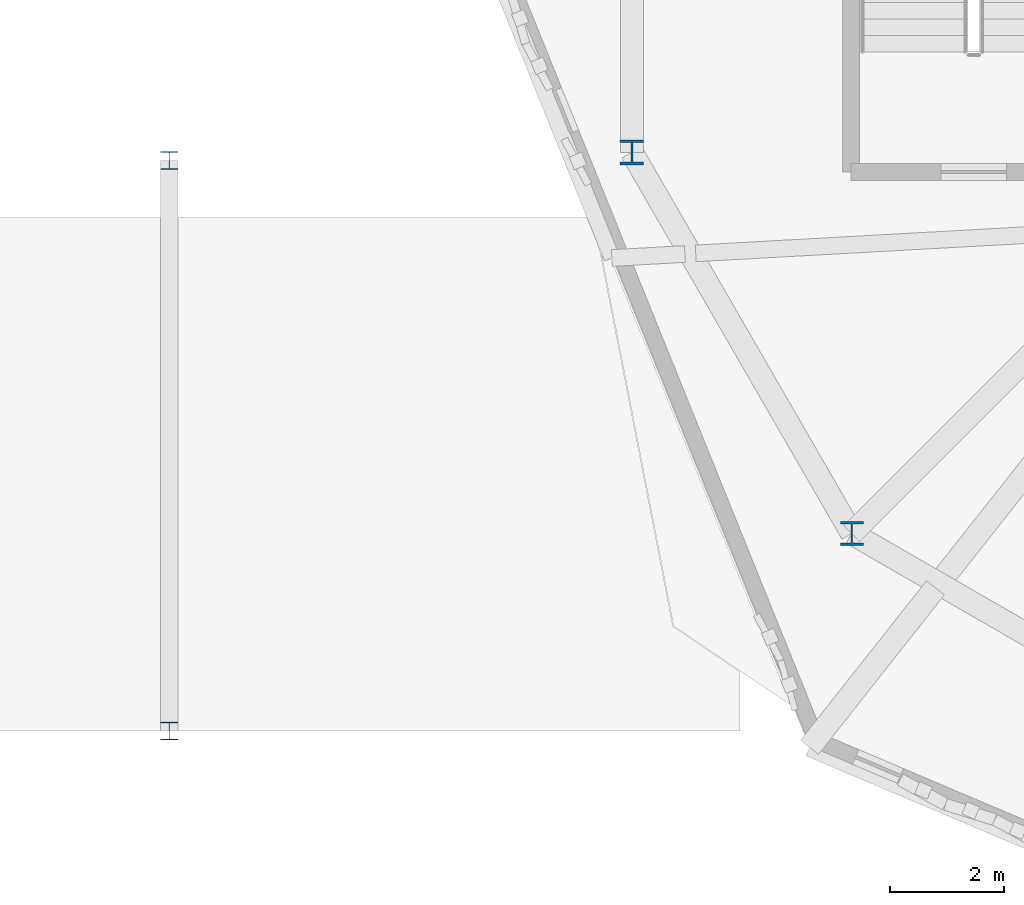
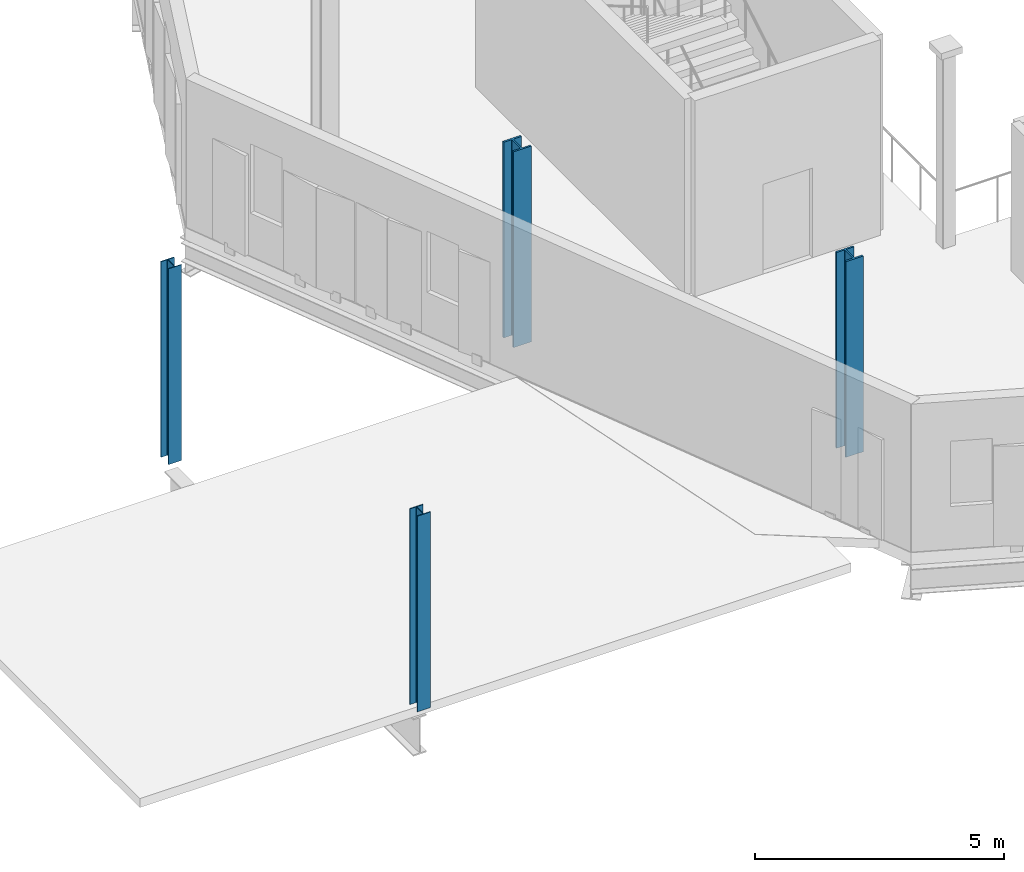
# One storey, part 2 of 122: 4 columns.
"""IFC4 building model written with IfcOpenShell, lengths in metres."""

from ifc_helpers import new_model, si_unit, direction, frame, origin, origin_2d, place, context, subcontext, project, spatial, i_section, extrude, material, material_profile, profile_set, type_object, element, save


model = new_model("IFC4")

# Units and contexts
model_context = context("Model", 3, precision=1e-05, world=origin(), true_north=direction((0.0, 1.0)))
body_context = subcontext(model_context, "Body", "Model", "MODEL_VIEW")
ifc_project = project(units=[si_unit("LENGTHUNIT", "METRE"), si_unit("AREAUNIT", "SQUARE_METRE"), si_unit("VOLUMEUNIT", "CUBIC_METRE"), si_unit("PLANEANGLEUNIT", "RADIAN"), si_unit("MASSUNIT", "GRAM", prefix="KILO"), si_unit("THERMODYNAMICTEMPERATUREUNIT", "KELVIN"), si_unit("POWERUNIT", "WATT")], contexts=[model_context])

# Site, building, storey
site_placement = place(None, origin())
site = spatial("IfcSite", under=ifc_project, at=site_placement, CompositionType="ELEMENT")
building_placement = place(site_placement, origin())
building = spatial("IfcBuilding", under=site, at=building_placement, Name="Zelmaris Science Centre", CompositionType="ELEMENT")
storey_placement = place(building_placement, frame((0.0, 0.0, 10.800048828125)))
storey = spatial("IfcBuildingStorey", under=building, at=storey_placement, Name="L02", CompositionType="ELEMENT", Elevation=10.800048828125)

# Columns
ifc_material = material(Name="Steel ASTM A992 Grade 50", Category="steel")
ifc_material_profile_1 = material_profile(ifc_material, i_section(OverallWidth=0.412109375, OverallDepth=0.43408203125, WebThickness=0.035888671875, FlangeThickness=0.044189453125, FilletRadius=0.014892578125, at=origin_2d()), Name="W14X311")
ifc_profile_set_1 = profile_set([ifc_material_profile_1], Name="Steel ASTM A992 Grade 50")
column_type_1 = type_object("IfcColumnType", Name="Column C-01 W14X311", PredefinedType="COLUMN", material=ifc_profile_set_1)
column_1_placement = place(storey_placement, frame((66.607666015625, 32.1435546875, 0.0), z_axis=(0.0, 0.0, 1.0), x_axis=(1.0, 0.0, 0.0)))
element("IfcColumn", 1, at=column_1_placement, inside=storey, type_object=column_type_1, Name="Column V2-MC07 L02", PredefinedType="COLUMN", context=body_context, shape_type="SweptSolid", body=[
    extrude(i_section(OverallWidth=0.412109375, OverallDepth=0.43408203125, WebThickness=0.035888671875, FlangeThickness=0.044189453125, FilletRadius=0.014892578125, at=origin_2d()), origin(), (0.0, 0.0, 1.0), 4.800048828125),
])
ifc_material_profile_2 = material_profile(ifc_material, i_section(OverallWidth=0.406005859375, OverallDepth=0.4169921875, WebThickness=0.02978515625, FlangeThickness=0.04443359375, FilletRadius=0.014892578125, at=origin_2d()), Name="W14X257")
ifc_profile_set_2 = profile_set([ifc_material_profile_2], Name="Steel ASTM A992 Grade 50")
column_type_2 = type_object("IfcColumnType", Name="Column C-02 W14X257", PredefinedType="COLUMN", material=ifc_profile_set_2)
column_2_placement = place(storey_placement, frame((70.464111328125, 25.464111328125, 0.0), z_axis=(0.0, 0.0, 1.0), x_axis=(1.0, 0.0, 0.0)))
element("IfcColumn", 2, at=column_2_placement, inside=storey, type_object=column_type_2, Name="Column V2-MC08 L02", PredefinedType="COLUMN", context=body_context, shape_type="SweptSolid", body=[
    extrude(i_section(OverallWidth=0.406005859375, OverallDepth=0.4169921875, WebThickness=0.02978515625, FlangeThickness=0.04443359375, FilletRadius=0.014892578125, at=origin_2d()), origin(), (0.0, 0.0, 1.0), 4.800048828125),
])
ifc_material_profile_3 = material_profile(ifc_material, i_section(OverallWidth=0.306884765625, OverallDepth=0.31494140625, WebThickness=0.011962890625, FlangeThickness=0.018798828125, FilletRadius=0.012939453125, at=origin_2d()), Name="W12X79")
ifc_profile_set_3 = profile_set([ifc_material_profile_3], Name="Steel ASTM A992 Grade 50")
column_type_3 = type_object("IfcColumnType", Name="Column C-08 W12X79", PredefinedType="COLUMN", material=ifc_profile_set_3)
for number, where, z_axis, x_axis, name in (
    (3, (58.5, 22.0, 0.0), (0.0, 0.0, 1.0), (1.0, 0.0, 0.0), "Column LK-W-22 L02"),
    (4, (58.5, 32.0, 0.0), (0.0, 0.0, 1.0), (1.0, 0.0, 0.0), "Column LK-W-32 L02"),
):
    element("IfcColumn", number, at=place(storey_placement, frame(where, z_axis=z_axis, x_axis=x_axis)), inside=storey, type_object=column_type_3, Name=name, PredefinedType="COLUMN", context=body_context, shape_type="SweptSolid", body=[
        extrude(i_section(OverallWidth=0.306884765625, OverallDepth=0.31494140625, WebThickness=0.011962890625, FlangeThickness=0.018798828125, FilletRadius=0.012939453125, at=origin_2d()), origin(), (0.0, 0.0, 1.0), 4.800048828125),
    ])

save(model, "model.ifc")
